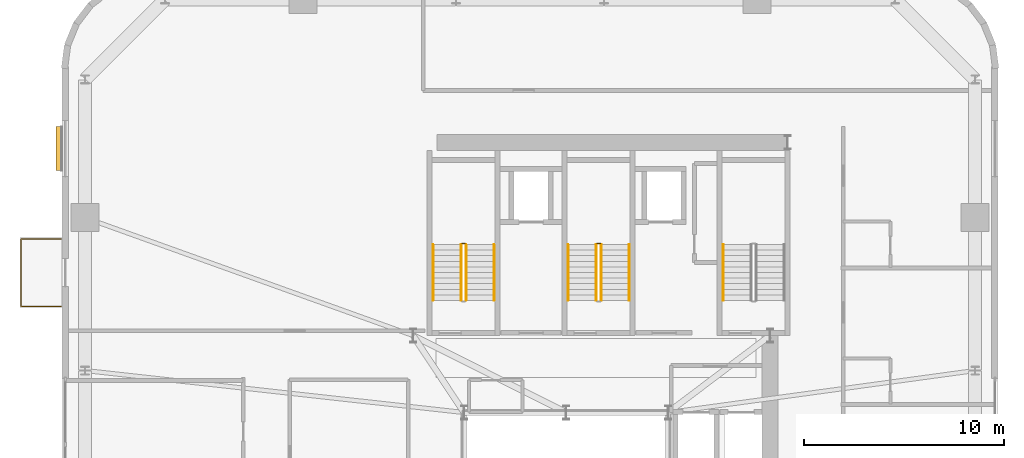
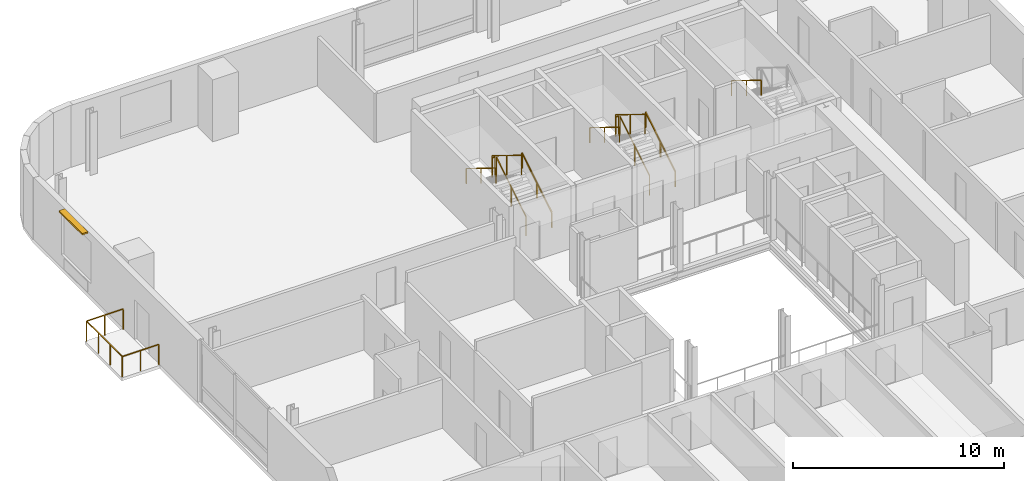
# One storey, part 15 of 16: 12 railings, 1 shading device.
"""IFC4 building model written with IfcOpenShell, lengths in metres."""

import ifcopenshell
import ifcopenshell.guid

model = None  # the IFC model being written
_history = None  # IfcOwnerHistory: only IFC2X3 demands one
_inside = {}  # id of a spatial element -> (the spatial element, [elements in it])
_under = {}  # id of a project, library or spatial element -> (it, [spatial elements below it])
_declared = {}  # id of a project -> (the project, [libraries it declares])
_typed = {}  # id of a type object -> (the type object, [elements of that type])
_made_of = {}  # id of a material, layer set ... -> (it, [elements and type objects made of it])


def new_model(schema):
    """Start an empty IFC model of exactly this schema.

    Asked for "IFC4X3", IfcOpenShell would pick the latest addendum, in which some entities
    have other attributes; the version numbers below select the first issue.
    IFC2X3 requires an IfcOwnerHistory on every rooted entity: one is made here for all.
    """
    global model, _history
    if schema == "IFC4X3":
        model = ifcopenshell.file(schema_version=(4, 3, 0, 0))
    else:
        model = ifcopenshell.file(schema=schema)
    _inside.clear()
    _under.clear()
    _declared.clear()
    _typed.clear()
    _made_of.clear()
    _history = None
    if model.schema == "IFC2X3":
        org = make("IfcOrganization", Name="unknown")
        user = make(
            "IfcPersonAndOrganization",
            ThePerson=make("IfcPerson", FamilyName="unknown"),
            TheOrganization=org,
        )
        app = make(
            "IfcApplication",
            ApplicationDeveloper=org,
            Version="unknown",
            ApplicationFullName="unknown",
            ApplicationIdentifier="unknown",
        )
        _history = make(
            "IfcOwnerHistory",
            OwningUser=user,
            OwningApplication=app,
            ChangeAction="ADDED",
            CreationDate=0,
        )
    return model


def make(cls, **values):
    """One entity of the class cls with the attributes given. An attribute that is None is left unset."""
    return model.create_entity(
        cls, **{name: value for name, value in values.items() if value is not None}
    )


def rooted(cls, **values):
    """An entity with a GlobalId (a new one), such as an element, a storey or a relation."""
    return make(cls, GlobalId=ifcopenshell.guid.new(), OwnerHistory=_history, **values)


def si_unit(unit_type, name, prefix=None):
    """IfcSIUnit, for example si_unit("LENGTHUNIT", "METRE", prefix="MILLI")."""
    return make("IfcSIUnit", UnitType=unit_type, Prefix=prefix, Name=name)


def assignment(units):
    """IfcUnitAssignment: the units of a project."""
    return None if units is None else make("IfcUnitAssignment", Units=units)


def point(xyz):
    """IfcCartesianPoint."""
    return None if xyz is None else make("IfcCartesianPoint", Coordinates=xyz)


def direction(xyz):
    """IfcDirection."""
    return None if xyz is None else make("IfcDirection", DirectionRatios=xyz)


def frame(location, z_axis=None, x_axis=None):
    """IfcAxis2Placement3D, a coordinate frame: its origin and axes. An axis left out is left unset."""
    return make(
        "IfcAxis2Placement3D",
        Location=point(location),
        Axis=direction(z_axis),
        RefDirection=direction(x_axis),
    )


def frame_2d(location, x_axis=None):
    """IfcAxis2Placement2D, a coordinate frame in the plane: its origin and x axis."""
    return make(
        "IfcAxis2Placement2D", Location=point(location), RefDirection=direction(x_axis)
    )


def origin():
    """The frame at (0, 0, 0) with its axes left unset."""
    return frame((0.0, 0.0, 0.0))


def origin_2d():
    """The frame at (0, 0) in the plane with its x axis left unset."""
    return frame_2d((0.0, 0.0))


def place(relative_to, where):
    """IfcLocalPlacement: puts the frame where relative to a parent placement (None: the world)."""
    return make(
        "IfcLocalPlacement", PlacementRelTo=relative_to, RelativePlacement=where
    )


def context(
    kind, dimensions, precision=None, world=None, true_north=None, identifier=None
):
    """IfcGeometricRepresentationContext, for example the 3D "Model" context."""
    return make(
        "IfcGeometricRepresentationContext",
        ContextIdentifier=identifier,
        ContextType=kind,
        CoordinateSpaceDimension=dimensions,
        Precision=precision,
        WorldCoordinateSystem=world,
        TrueNorth=true_north,
    )


def subcontext(parent, identifier, kind, view, scale=None):
    """IfcGeometricRepresentationSubContext, for example "Body" below "Model"."""
    return make(
        "IfcGeometricRepresentationSubContext",
        ContextIdentifier=identifier,
        ContextType=kind,
        ParentContext=parent,
        TargetScale=scale,
        TargetView=view,
    )


def project(units=None, contexts=None):
    """IfcProject with its units and contexts."""
    return rooted(
        "IfcProject",
        Name="project",
        RepresentationContexts=contexts,
        UnitsInContext=assignment(units),
    )


def spatial(cls, under=None, at=None, **own):
    """A site, building, storey or space (cls), placed at a placement, below another one or the project."""
    s = rooted(cls, ObjectPlacement=at, **own)
    if under is not None:
        _under.setdefault(under.id(), (under, []))[1].append(s)
    return s


def profile(cls, at=None, kind="AREA", **sizes):
    """A parametric profile (cls). Its sizes go by their IFC names, for example OverallWidth=200.0."""
    return make(cls, ProfileType=kind, Position=at, **sizes)


def rectangle(**sizes):
    """IfcRectangleProfileDef."""
    return profile("IfcRectangleProfileDef", **sizes)


def extrude(swept, where, along, depth):
    """IfcExtrudedAreaSolid: the profile swept, set in the frame where, extruded along a direction by depth."""
    return make(
        "IfcExtrudedAreaSolid",
        SweptArea=swept,
        Position=where,
        ExtrudedDirection=direction(along),
        Depth=depth,
    )


def shape(context_of_items, identifier, shape_type, items):
    """IfcShapeRepresentation: the items that make up one representation, for example the "Body"."""
    return make(
        "IfcShapeRepresentation",
        ContextOfItems=context_of_items,
        RepresentationIdentifier=identifier,
        RepresentationType=shape_type,
        Items=items,
    )


def source(mapping_origin, context_of_items, identifier, shape_type, items):
    """IfcRepresentationMap: a shape defined once, which mapped items show again and again."""
    return make(
        "IfcRepresentationMap",
        MappingOrigin=mapping_origin,
        MappedRepresentation=shape(context_of_items, identifier, shape_type, items),
    )


def transform(
    local_origin,
    x_axis=None,
    y_axis=None,
    z_axis=None,
    scale=None,
    scale2=None,
    scale3=None,
    uniform=True,
):
    """IfcCartesianTransformationOperator3D, or its non-uniform kind. x_axis, y_axis, z_axis: its Axis1, 2, 3."""
    if uniform:
        return make(
            "IfcCartesianTransformationOperator3D",
            Axis1=direction(x_axis),
            Axis2=direction(y_axis),
            LocalOrigin=point(local_origin),
            Scale=scale,
            Axis3=direction(z_axis),
        )
    return make(
        "IfcCartesianTransformationOperator3DnonUniform",
        Axis1=direction(x_axis),
        Axis2=direction(y_axis),
        LocalOrigin=point(local_origin),
        Scale=scale,
        Axis3=direction(z_axis),
        Scale2=scale2,
        Scale3=scale3,
    )


def mapped(mapping_source, mapping_target):
    """IfcMappedItem: shows the shape of a source again, moved by a transform."""
    return make(
        "IfcMappedItem", MappingSource=mapping_source, MappingTarget=mapping_target
    )


def material(Name=None, Category=None):
    """IfcMaterial."""
    return make("IfcMaterial", Name=Name, Category=Category)


def layer(
    of_material, thickness, ventilated=None, Name=None, Category=None, Priority=None
):
    """IfcMaterialLayer: one layer of a wall or slab, of a material (None: an air gap)."""
    return make(
        "IfcMaterialLayer",
        Material=of_material,
        LayerThickness=thickness,
        IsVentilated=ventilated,
        Name=Name,
        Category=Category,
        Priority=Priority,
    )


def layer_set(layers, Name=None):
    """IfcMaterialLayerSet."""
    return make("IfcMaterialLayerSet", MaterialLayers=layers, LayerSetName=Name)


def made_of(thing, what):
    """Note that an element or type object is made of a material, layer set ...; save() writes the relation."""
    if what is not None:
        _made_of.setdefault(what.id(), (what, []))[1].append(thing)
    return thing


def type_object(cls, material=None, **own):
    """A type object (cls), such as IfcWallType, which elements share."""
    return made_of(rooted(cls, **own), material)


def element(
    cls,
    number,
    at=None,
    inside=None,
    cuts=None,
    type_object=None,
    material=None,
    context=None,
    identifier="Body",
    shape_type=None,
    held_by="IfcProductDefinitionShape",
    body=None,
    shapes=None,
    **own,
):
    """One element of the class cls, such as IfcWall. Its Tag is "e" and its number.

    at: its placement. inside: the storey or other place that contains it. cuts: it is an
    opening in that element (IfcRelVoidsElement). A single representation is given by context,
    identifier, shape_type and body (its items); several are given by shapes. held_by: the class
    of the entity that holds the representations. save() writes the other relations.
    """
    e = rooted(cls, Tag="e%d" % number, ObjectPlacement=at, **own)
    if body is not None:
        shapes = [shape(context, identifier, shape_type, body)]
    if shapes is not None:
        e.Representation = make(held_by, Representations=shapes)
    if inside is not None:
        _inside.setdefault(inside.id(), (inside, []))[1].append(e)
    if cuts is not None:
        rooted(
            "IfcRelVoidsElement", RelatingBuildingElement=cuts, RelatedOpeningElement=e
        )
    if type_object is not None:
        _typed.setdefault(type_object.id(), (type_object, []))[1].append(e)
    return made_of(e, material)


def aggregate(whole, parts):
    """IfcRelAggregates: a whole, such as a stair, and the parts it consists of."""
    return rooted("IfcRelAggregates", RelatingObject=whole, RelatedObjects=parts)


def save(model, path):
    """Write the relations noted so far, then the file.

    IfcRelAggregates (storeys below a building ...), IfcRelContainedInSpatialStructure (elements
    in a storey), IfcRelDefinesByType, IfcRelAssociatesMaterial and IfcRelDeclares: one each for
    every whole, place, type object, material and project.
    """
    for whole, parts in _under.values():
        aggregate(whole, parts)
    for where, things in _inside.values():
        rooted(
            "IfcRelContainedInSpatialStructure",
            RelatedElements=things,
            RelatingStructure=where,
        )
    for kind, things in _typed.values():
        rooted("IfcRelDefinesByType", RelatedObjects=things, RelatingType=kind)
    for what, things in _made_of.values():
        rooted("IfcRelAssociatesMaterial", RelatedObjects=things, RelatingMaterial=what)
    for by, libraries in _declared.values():
        rooted("IfcRelDeclares", RelatingContext=by, RelatedDefinitions=libraries)
    model.write(path)


model = new_model("IFC4")

# Units and contexts
model_context = context("Model", 3, precision=1e-05, world=origin(), true_north=direction((0.0, 1.0)))
body_context = subcontext(model_context, "Body", "Model", "MODEL_VIEW")
ifc_project = project(units=[si_unit("LENGTHUNIT", "METRE"), si_unit("AREAUNIT", "SQUARE_METRE"), si_unit("VOLUMEUNIT", "CUBIC_METRE"), si_unit("PLANEANGLEUNIT", "RADIAN"), si_unit("MASSUNIT", "GRAM", prefix="KILO")], contexts=[model_context])

# Site, building, storey
site_placement = place(None, origin())
site = spatial("IfcSite", under=ifc_project, at=site_placement, CompositionType="ELEMENT")
building_placement = place(site_placement, origin())
building = spatial("IfcBuilding", under=site, at=building_placement, Name="Vardaveli Station Tower", CompositionType="ELEMENT")
storey_placement = place(building_placement, frame((0.0, 0.0, 181.0)))
storey = spatial("IfcBuildingStorey", under=building, at=storey_placement, Name="L46", CompositionType="ELEMENT", Elevation=181.0)

# Shading device
ifc_material_1 = material(Name="Anodised champagne aluminium sunshade", Category="aluminium")
ifc_layer = layer(ifc_material_1, 0.090087890625, Name="Anodised champagne aluminium sunshade")
ifc_layer_set = layer_set([ifc_layer], Name="Anodised champagne aluminium sunshade")
shading_device_type = type_object("IfcShadingDeviceType", Name="SHD-SUNSHADE", PredefinedType="USERDEFINED", material=ifc_layer_set)
shared_shape_1 = source(origin(), body_context, "Body", "SweptSolid", [
    extrude(rectangle(XDim=2.199951171875, YDim=0.320068359375, at=origin_2d()), origin(), (0.0, 0.0, 1.0), 0.090087890625),
])
shading_device_placement = place(storey_placement, frame((10.955078125, 39.9951171875, 3.4599609375), z_axis=(0.0, 0.0, 1.0), x_axis=(0.0, 1.0, 0.0)))
element("IfcShadingDevice", 1, at=shading_device_placement, inside=storey, type_object=shading_device_type, Name="SHD-SS-L46-W", ObjectType="SUNSHADE", PredefinedType="USERDEFINED", context=body_context, shape_type="MappedRepresentation", body=[
    mapped(shared_shape_1, transform((0.0, 0.0, 0.0), scale=1.0)),
])

# Railings
ifc_material_2 = material(Name="Laminated glass and stainless steel balustrade", Category="steel")
railing_type_1 = type_object("IfcRailingType", Name="RL-BAL-1200", PredefinedType="BALUSTRADE", material=ifc_material_2)
shared_shape_2 = source(origin(), body_context, "Body", "SweptSolid", [
    extrude(rectangle(XDim=0.048095703125, YDim=0.048095703125, at=origin_2d()), frame((0.0, 0.0, 1.17578125), z_axis=(-1.0, 0.0, 0.0), x_axis=(0.0, -1.0, 0.0)), (0.0, 0.0, 1.0), 2.0),
    extrude(rectangle(XDim=0.048095703125, YDim=0.048095703125, at=origin_2d()), frame((-2.0, 0.0, 1.17578125), z_axis=(0.0, 1.0, 0.0), x_axis=(-1.0, 0.0, 0.0)), (0.0, 0.0, 1.0), 3.3798828125),
    extrude(rectangle(XDim=0.048095703125, YDim=0.048095703125, at=origin_2d()), frame((-2.0, 3.3798828125, 1.17578125), z_axis=(1.0, 0.0, 0.0), x_axis=(0.0, 1.0, 0.0)), (0.0, 0.0, 1.0), 2.0),
    extrude(rectangle(XDim=0.0419921875, YDim=0.0419921875, at=origin_2d()), origin(), (0.0, 0.0, 1.0), 1.15185546875),
    extrude(rectangle(XDim=0.0419921875, YDim=0.0419921875, at=origin_2d()), frame((-1.0, 0.0, 0.0)), (0.0, 0.0, 1.0), 1.15185546875),
    extrude(rectangle(XDim=0.0419921875, YDim=0.0419921875, at=origin_2d()), frame((-2.0, 0.0, 0.0)), (0.0, 0.0, 1.0), 1.15185546875),
    extrude(rectangle(XDim=0.0419921875, YDim=0.0419921875, at=origin_2d()), frame((-2.0, 1.126708984375, 0.0)), (0.0, 0.0, 1.0), 1.15185546875),
    extrude(rectangle(XDim=0.0419921875, YDim=0.0419921875, at=origin_2d()), frame((-2.0, 2.253173828125, 0.0)), (0.0, 0.0, 1.0), 1.15185546875),
    extrude(rectangle(XDim=0.0419921875, YDim=0.0419921875, at=origin_2d()), frame((-2.0, 3.3798828125, 0.0)), (0.0, 0.0, 1.0), 1.15185546875),
    extrude(rectangle(XDim=0.0419921875, YDim=0.0419921875, at=origin_2d()), frame((-1.0, 3.3798828125, 0.0)), (0.0, 0.0, 1.0), 1.15185546875),
    extrude(rectangle(XDim=0.0419921875, YDim=0.0419921875, at=origin_2d()), frame((0.0, 3.3798828125, 0.0)), (0.0, 0.0, 1.0), 1.15185546875),
])
railing_placement = place(storey_placement, frame((11.06005859375, 32.099609375, 0.0)))
element("IfcRailing", 2, at=railing_placement, inside=storey, type_object=railing_type_1, Name="RL-LOG-L46-03", PredefinedType="BALUSTRADE", context=body_context, shape_type="MappedRepresentation", body=[
    mapped(shared_shape_2, transform((0.0, 0.0, 0.0), scale=1.0)),
])
ifc_material_3 = material(Name="Brushed AISI 316 stainless steel", Category="steel")
railing_type_2 = type_object("IfcRailingType", Name="RL-GUARD-1150", PredefinedType="GUARDRAIL", material=ifc_material_3)
shared_shape_3 = source(origin(), body_context, "Body", "SweptSolid", [
    extrude(rectangle(XDim=0.048095703125, YDim=0.048095703125, at=origin_2d()), frame((0.0, 0.0, 1.1259765625), z_axis=(-1.0, 0.0, 0.0), x_axis=(0.0, -1.0, 0.0)), (0.0, 0.0, 1.0), 0.14990234375),
    extrude(rectangle(XDim=0.0419921875, YDim=0.0419921875, at=origin_2d()), origin(), (0.0, 0.0, 1.0), 1.101806640625),
    extrude(rectangle(XDim=0.0419921875, YDim=0.0419921875, at=origin_2d()), frame((-0.14990234375, 0.0, 0.0)), (0.0, 0.0, 1.0), 1.101806640625),
])
for number, where, name in (
    (3, (31.25, 35.25, 1.89990234375), "L46 ST-1 stair guard 2"),
    (4, (38.0, 35.25, 1.89990234375), "L46 ST-2 stair guard 2"),
):
    element("IfcRailing", number, at=place(storey_placement, frame(where)), inside=storey, type_object=railing_type_2, Name=name, PredefinedType="GUARDRAIL", context=body_context, shape_type="MappedRepresentation", body=[
        mapped(shared_shape_3, transform((0.0, 0.0, 0.0), scale=1.0)),
    ])
shared_shape_4 = source(origin(), body_context, "Body", "SweptSolid", [
    extrude(rectangle(XDim=0.048095703125, YDim=0.048095703125, at=origin_2d()), frame((0.0, 0.0, 1.1259765625), z_axis=(0.0, 0.851089632645, 0.525020415988), x_axis=(-1.0, 0.0, 0.0)), (0.0, 0.0, 1.0), 3.2900390625),
    extrude(rectangle(XDim=0.0419921875, YDim=0.0419921875, at=origin_2d()), origin(), (0.0, 0.0, 1.0), 1.101806640625),
    extrude(rectangle(XDim=0.0419921875, YDim=0.0419921875, at=origin_2d()), frame((0.0, 1.39990234375, 0.86376953125)), (0.0, 0.0, 1.0), 1.101806640625),
    extrude(rectangle(XDim=0.0419921875, YDim=0.0419921875, at=origin_2d()), frame((0.0, 2.800048828125, 1.727294921875)), (0.0, 0.0, 1.0), 1.101806640625),
])
for number, where, name in (
    (5, (31.300048828125, 32.39990234375, 0.172607421875), "L46 ST-1 stair guard 1"),
    (6, (38.050048828125, 32.39990234375, 0.172607421875), "L46 ST-2 stair guard 1"),
):
    element("IfcRailing", number, at=place(storey_placement, frame(where)), inside=storey, type_object=railing_type_2, Name=name, PredefinedType="GUARDRAIL", context=body_context, shape_type="MappedRepresentation", body=[
        mapped(shared_shape_4, transform((0.0, 0.0, 0.0), scale=1.0)),
    ])
shared_shape_5 = source(origin(), body_context, "Body", "SweptSolid", [
    extrude(rectangle(XDim=0.048095703125, YDim=0.048095703125, at=origin_2d()), frame((0.0, 0.0, 1.1259765625), z_axis=(0.0, -0.851089632645, 0.525020415988), x_axis=(1.0, 0.0, 0.0)), (0.0, 0.0, 1.0), 3.2900390625),
    extrude(rectangle(XDim=0.0419921875, YDim=0.0419921875, at=origin_2d()), origin(), (0.0, 0.0, 1.0), 1.101806640625),
    extrude(rectangle(XDim=0.0419921875, YDim=0.0419921875, at=origin_2d()), frame((0.0, -1.39990234375, 0.86376953125)), (0.0, 0.0, 1.0), 1.101806640625),
    extrude(rectangle(XDim=0.0419921875, YDim=0.0419921875, at=origin_2d()), frame((0.0, -2.800048828125, 1.727294921875)), (0.0, 0.0, 1.0), 1.101806640625),
])
for number, where, name in (
    (7, (31.050048828125, 35.199951171875, 2.07275390625), "L46 ST-1 stair guard 3"),
    (8, (37.800048828125, 35.199951171875, 2.07275390625), "L46 ST-2 stair guard 3"),
):
    element("IfcRailing", number, at=place(storey_placement, frame(where)), inside=storey, type_object=railing_type_2, Name=name, PredefinedType="GUARDRAIL", context=body_context, shape_type="MappedRepresentation", body=[
        mapped(shared_shape_5, transform((0.0, 0.0, 0.0), scale=1.0)),
    ])
railing_type_3 = type_object("IfcRailingType", Name="RL-HAND-900", PredefinedType="HANDRAIL", material=ifc_material_3)
shared_shape_6 = source(origin(), body_context, "Body", "SweptSolid", [
    extrude(rectangle(XDim=0.048095703125, YDim=0.048095703125, at=origin_2d()), frame((0.0, 0.0, 0.8759765625), z_axis=(0.0, 0.851089632645, 0.525020415988), x_axis=(-1.0, 0.0, 0.0)), (0.0, 0.0, 1.0), 3.2900390625),
    extrude(rectangle(XDim=0.0419921875, YDim=0.0419921875, at=origin_2d()), origin(), (0.0, 0.0, 1.0), 0.851806640625),
    extrude(rectangle(XDim=0.0419921875, YDim=0.0419921875, at=origin_2d()), frame((0.0, 1.39990234375, 0.86376953125)), (0.0, 0.0, 1.0), 0.851806640625),
    extrude(rectangle(XDim=0.0419921875, YDim=0.0419921875, at=origin_2d()), frame((0.0, 2.800048828125, 1.727294921875)), (0.0, 0.0, 1.0), 0.851806640625),
])
for number, where, name in (
    (9, (32.699951171875, 32.39990234375, 0.172607421875), "L46 ST-1 stair handrail 1"),
    (10, (39.449951171875, 32.39990234375, 0.172607421875), "L46 ST-2 stair handrail 1"),
):
    element("IfcRailing", number, at=place(storey_placement, frame(where)), inside=storey, type_object=railing_type_3, Name=name, PredefinedType="HANDRAIL", context=body_context, shape_type="MappedRepresentation", body=[
        mapped(shared_shape_6, transform((0.0, 0.0, 0.0), scale=1.0)),
    ])
shared_shape_7 = source(origin(), body_context, "Body", "SweptSolid", [
    extrude(rectangle(XDim=0.048095703125, YDim=0.048095703125, at=origin_2d()), frame((0.0, 0.0, 0.8759765625), z_axis=(0.0, -0.851089632645, 0.525020415988), x_axis=(1.0, 0.0, 0.0)), (0.0, 0.0, 1.0), 3.2900390625),
    extrude(rectangle(XDim=0.0419921875, YDim=0.0419921875, at=origin_2d()), origin(), (0.0, 0.0, 1.0), 0.851806640625),
    extrude(rectangle(XDim=0.0419921875, YDim=0.0419921875, at=origin_2d()), frame((0.0, -1.39990234375, 0.86376953125)), (0.0, 0.0, 1.0), 0.851806640625),
    extrude(rectangle(XDim=0.0419921875, YDim=0.0419921875, at=origin_2d()), frame((0.0, -2.800048828125, 1.727294921875)), (0.0, 0.0, 1.0), 0.851806640625),
])
for number, where, name in (
    (11, (29.64990234375, 35.199951171875, 2.07275390625), "L46 ST-1 stair handrail 2"),
    (12, (36.39990234375, 35.199951171875, 2.07275390625), "L46 ST-2 stair handrail 2"),
    (13, (44.14990234375, 35.199951171875, 2.07275390625), "L46 ST-3 stair handrail 2"),
):
    element("IfcRailing", number, at=place(storey_placement, frame(where)), inside=storey, type_object=railing_type_3, Name=name, PredefinedType="HANDRAIL", context=body_context, shape_type="MappedRepresentation", body=[
        mapped(shared_shape_7, transform((0.0, 0.0, 0.0), scale=1.0)),
    ])

save(model, "model.ifc")
